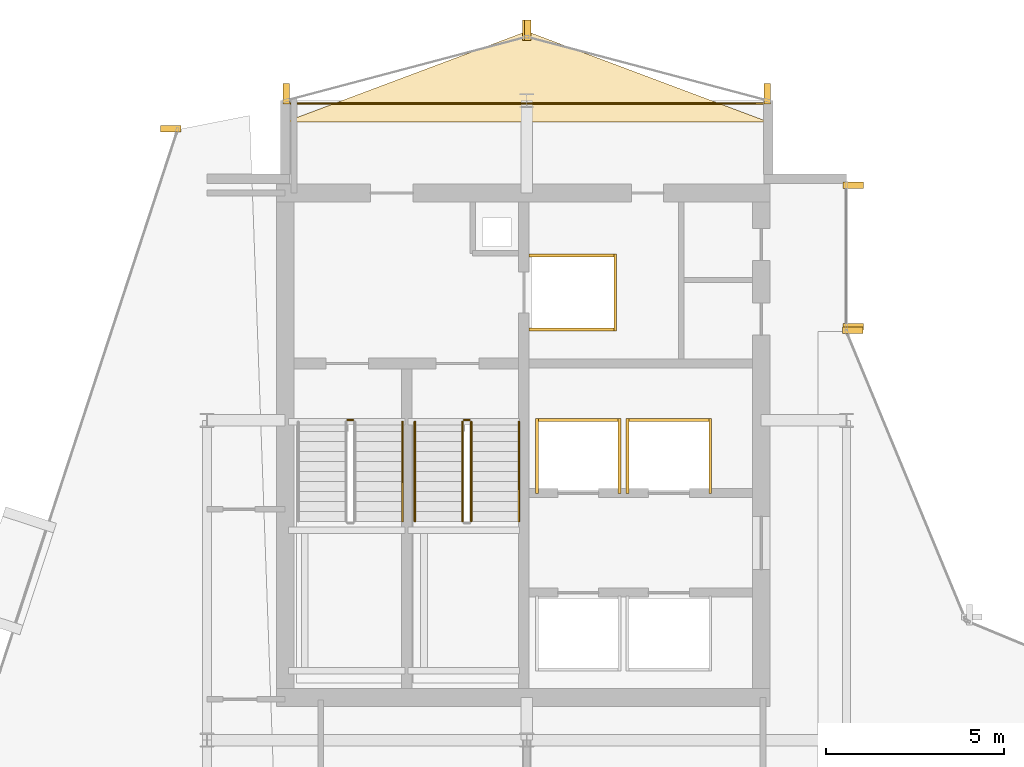
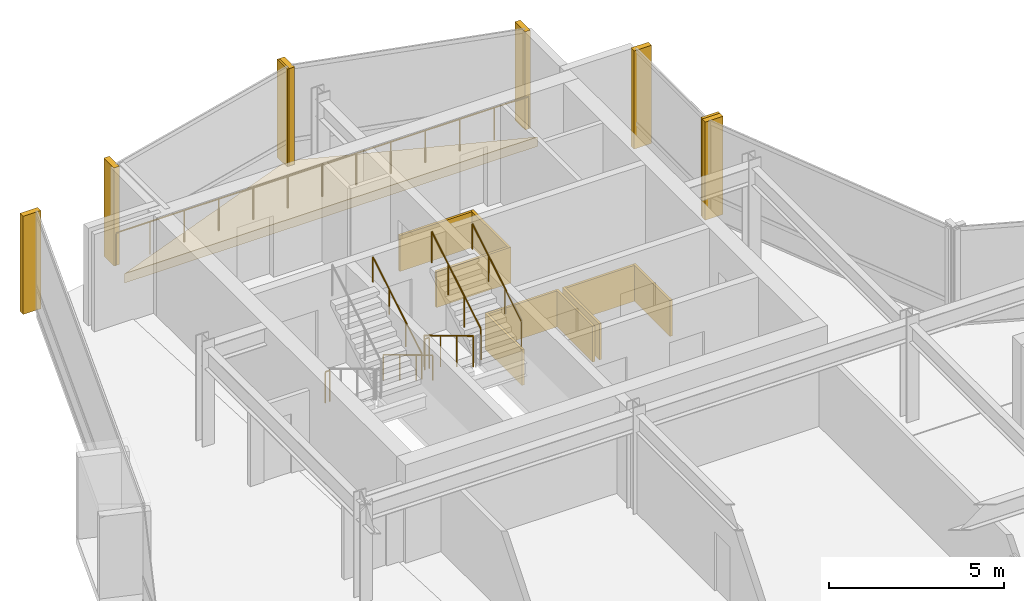
# One storey, part 28 of 28: 18 coverings, 8 railings.
"""IFC4 building model written with IfcOpenShell, lengths in metres."""

import ifcopenshell
import ifcopenshell.guid

model = None  # the IFC model being written
_history = None  # IfcOwnerHistory: only IFC2X3 demands one
_inside = {}  # id of a spatial element -> (the spatial element, [elements in it])
_under = {}  # id of a project, library or spatial element -> (it, [spatial elements below it])
_declared = {}  # id of a project -> (the project, [libraries it declares])
_typed = {}  # id of a type object -> (the type object, [elements of that type])
_made_of = {}  # id of a material, layer set ... -> (it, [elements and type objects made of it])


def new_model(schema):
    """Start an empty IFC model of exactly this schema.

    Asked for "IFC4X3", IfcOpenShell would pick the latest addendum, in which some entities
    have other attributes; the version numbers below select the first issue.
    IFC2X3 requires an IfcOwnerHistory on every rooted entity: one is made here for all.
    """
    global model, _history
    if schema == "IFC4X3":
        model = ifcopenshell.file(schema_version=(4, 3, 0, 0))
    else:
        model = ifcopenshell.file(schema=schema)
    _inside.clear()
    _under.clear()
    _declared.clear()
    _typed.clear()
    _made_of.clear()
    _history = None
    if model.schema == "IFC2X3":
        org = make("IfcOrganization", Name="unknown")
        user = make(
            "IfcPersonAndOrganization",
            ThePerson=make("IfcPerson", FamilyName="unknown"),
            TheOrganization=org,
        )
        app = make(
            "IfcApplication",
            ApplicationDeveloper=org,
            Version="unknown",
            ApplicationFullName="unknown",
            ApplicationIdentifier="unknown",
        )
        _history = make(
            "IfcOwnerHistory",
            OwningUser=user,
            OwningApplication=app,
            ChangeAction="ADDED",
            CreationDate=0,
        )
    return model


def make(cls, **values):
    """One entity of the class cls with the attributes given. An attribute that is None is left unset."""
    return model.create_entity(
        cls, **{name: value for name, value in values.items() if value is not None}
    )


def rooted(cls, **values):
    """An entity with a GlobalId (a new one), such as an element, a storey or a relation."""
    return make(cls, GlobalId=ifcopenshell.guid.new(), OwnerHistory=_history, **values)


def si_unit(unit_type, name, prefix=None):
    """IfcSIUnit, for example si_unit("LENGTHUNIT", "METRE", prefix="MILLI")."""
    return make("IfcSIUnit", UnitType=unit_type, Prefix=prefix, Name=name)


def assignment(units):
    """IfcUnitAssignment: the units of a project."""
    return None if units is None else make("IfcUnitAssignment", Units=units)


def point(xyz):
    """IfcCartesianPoint."""
    return None if xyz is None else make("IfcCartesianPoint", Coordinates=xyz)


def direction(xyz):
    """IfcDirection."""
    return None if xyz is None else make("IfcDirection", DirectionRatios=xyz)


def frame(location, z_axis=None, x_axis=None):
    """IfcAxis2Placement3D, a coordinate frame: its origin and axes. An axis left out is left unset."""
    return make(
        "IfcAxis2Placement3D",
        Location=point(location),
        Axis=direction(z_axis),
        RefDirection=direction(x_axis),
    )


def frame_2d(location, x_axis=None):
    """IfcAxis2Placement2D, a coordinate frame in the plane: its origin and x axis."""
    return make(
        "IfcAxis2Placement2D", Location=point(location), RefDirection=direction(x_axis)
    )


def origin():
    """The frame at (0, 0, 0) with its axes left unset."""
    return frame((0.0, 0.0, 0.0))


def origin_2d():
    """The frame at (0, 0) in the plane with its x axis left unset."""
    return frame_2d((0.0, 0.0))


def place(relative_to, where):
    """IfcLocalPlacement: puts the frame where relative to a parent placement (None: the world)."""
    return make(
        "IfcLocalPlacement", PlacementRelTo=relative_to, RelativePlacement=where
    )


def context(
    kind, dimensions, precision=None, world=None, true_north=None, identifier=None
):
    """IfcGeometricRepresentationContext, for example the 3D "Model" context."""
    return make(
        "IfcGeometricRepresentationContext",
        ContextIdentifier=identifier,
        ContextType=kind,
        CoordinateSpaceDimension=dimensions,
        Precision=precision,
        WorldCoordinateSystem=world,
        TrueNorth=true_north,
    )


def subcontext(parent, identifier, kind, view, scale=None):
    """IfcGeometricRepresentationSubContext, for example "Body" below "Model"."""
    return make(
        "IfcGeometricRepresentationSubContext",
        ContextIdentifier=identifier,
        ContextType=kind,
        ParentContext=parent,
        TargetScale=scale,
        TargetView=view,
    )


def project(units=None, contexts=None):
    """IfcProject with its units and contexts."""
    return rooted(
        "IfcProject",
        Name="project",
        RepresentationContexts=contexts,
        UnitsInContext=assignment(units),
    )


def spatial(cls, under=None, at=None, **own):
    """A site, building, storey or space (cls), placed at a placement, below another one or the project."""
    s = rooted(cls, ObjectPlacement=at, **own)
    if under is not None:
        _under.setdefault(under.id(), (under, []))[1].append(s)
    return s


def polyline(points):
    """IfcPolyline through the points."""
    return make("IfcPolyline", Points=[point(p) for p in points])


def profile(cls, at=None, kind="AREA", **sizes):
    """A parametric profile (cls). Its sizes go by their IFC names, for example OverallWidth=200.0."""
    return make(cls, ProfileType=kind, Position=at, **sizes)


def rectangle(**sizes):
    """IfcRectangleProfileDef."""
    return profile("IfcRectangleProfileDef", **sizes)


def circle(**sizes):
    """IfcCircleProfileDef."""
    return profile("IfcCircleProfileDef", **sizes)


def outline(outer, holes=None, kind="AREA"):
    """IfcArbitraryClosedProfileDef: a profile drawn as a closed curve; with holes, ...WithVoids."""
    if holes is None:
        return make("IfcArbitraryClosedProfileDef", ProfileType=kind, OuterCurve=outer)
    return make(
        "IfcArbitraryProfileDefWithVoids",
        ProfileType=kind,
        OuterCurve=outer,
        InnerCurves=holes,
    )


def extrude(swept, where, along, depth):
    """IfcExtrudedAreaSolid: the profile swept, set in the frame where, extruded along a direction by depth."""
    return make(
        "IfcExtrudedAreaSolid",
        SweptArea=swept,
        Position=where,
        ExtrudedDirection=direction(along),
        Depth=depth,
    )


def shape(context_of_items, identifier, shape_type, items):
    """IfcShapeRepresentation: the items that make up one representation, for example the "Body"."""
    return make(
        "IfcShapeRepresentation",
        ContextOfItems=context_of_items,
        RepresentationIdentifier=identifier,
        RepresentationType=shape_type,
        Items=items,
    )


def material(Name=None, Category=None):
    """IfcMaterial."""
    return make("IfcMaterial", Name=Name, Category=Category)


def layer(
    of_material, thickness, ventilated=None, Name=None, Category=None, Priority=None
):
    """IfcMaterialLayer: one layer of a wall or slab, of a material (None: an air gap)."""
    return make(
        "IfcMaterialLayer",
        Material=of_material,
        LayerThickness=thickness,
        IsVentilated=ventilated,
        Name=Name,
        Category=Category,
        Priority=Priority,
    )


def layer_set(layers, Name=None):
    """IfcMaterialLayerSet."""
    return make("IfcMaterialLayerSet", MaterialLayers=layers, LayerSetName=Name)


def made_of(thing, what):
    """Note that an element or type object is made of a material, layer set ...; save() writes the relation."""
    if what is not None:
        _made_of.setdefault(what.id(), (what, []))[1].append(thing)
    return thing


def type_object(cls, material=None, **own):
    """A type object (cls), such as IfcWallType, which elements share."""
    return made_of(rooted(cls, **own), material)


def element(
    cls,
    number,
    at=None,
    inside=None,
    cuts=None,
    type_object=None,
    material=None,
    context=None,
    identifier="Body",
    shape_type=None,
    held_by="IfcProductDefinitionShape",
    body=None,
    shapes=None,
    **own,
):
    """One element of the class cls, such as IfcWall. Its Tag is "e" and its number.

    at: its placement. inside: the storey or other place that contains it. cuts: it is an
    opening in that element (IfcRelVoidsElement). A single representation is given by context,
    identifier, shape_type and body (its items); several are given by shapes. held_by: the class
    of the entity that holds the representations. save() writes the other relations.
    """
    e = rooted(cls, Tag="e%d" % number, ObjectPlacement=at, **own)
    if body is not None:
        shapes = [shape(context, identifier, shape_type, body)]
    if shapes is not None:
        e.Representation = make(held_by, Representations=shapes)
    if inside is not None:
        _inside.setdefault(inside.id(), (inside, []))[1].append(e)
    if cuts is not None:
        rooted(
            "IfcRelVoidsElement", RelatingBuildingElement=cuts, RelatedOpeningElement=e
        )
    if type_object is not None:
        _typed.setdefault(type_object.id(), (type_object, []))[1].append(e)
    return made_of(e, material)


def aggregate(whole, parts):
    """IfcRelAggregates: a whole, such as a stair, and the parts it consists of."""
    return rooted("IfcRelAggregates", RelatingObject=whole, RelatedObjects=parts)


def save(model, path):
    """Write the relations noted so far, then the file.

    IfcRelAggregates (storeys below a building ...), IfcRelContainedInSpatialStructure (elements
    in a storey), IfcRelDefinesByType, IfcRelAssociatesMaterial and IfcRelDeclares: one each for
    every whole, place, type object, material and project.
    """
    for whole, parts in _under.values():
        aggregate(whole, parts)
    for where, things in _inside.values():
        rooted(
            "IfcRelContainedInSpatialStructure",
            RelatedElements=things,
            RelatingStructure=where,
        )
    for kind, things in _typed.values():
        rooted("IfcRelDefinesByType", RelatedObjects=things, RelatingType=kind)
    for what, things in _made_of.values():
        rooted("IfcRelAssociatesMaterial", RelatedObjects=things, RelatingMaterial=what)
    for by, libraries in _declared.values():
        rooted("IfcRelDeclares", RelatingContext=by, RelatedDefinitions=libraries)
    model.write(path)


model = new_model("IFC4")

# Units and contexts
model_context = context("Model", 3, precision=1e-05, world=origin(), true_north=direction((0.0, 1.0)))
body_context = subcontext(model_context, "Body", "Model", "MODEL_VIEW")
ifc_project = project(units=[si_unit("LENGTHUNIT", "METRE"), si_unit("AREAUNIT", "SQUARE_METRE"), si_unit("VOLUMEUNIT", "CUBIC_METRE"), si_unit("PLANEANGLEUNIT", "RADIAN"), si_unit("MASSUNIT", "GRAM", prefix="KILO")], contexts=[model_context])

# Site, building, storey
site_placement = place(None, origin())
site = spatial("IfcSite", under=ifc_project, at=site_placement, CompositionType="ELEMENT")
building_placement = place(site_placement, origin())
building = spatial("IfcBuilding", under=site, at=building_placement, Name="Solvaryn Broadcast Tower", CompositionType="ELEMENT")
storey_placement = place(building_placement, frame((0.0, 0.0, 206.199951171875)))
storey = spatial("IfcBuildingStorey", under=building, at=storey_placement, Name="L51", CompositionType="ELEMENT", Elevation=206.199951171875)

# Coverings
ifc_material_1 = material(Name="Fire-Rated Gypsum Shaftwall Liner", Category="concrete")
ifc_layer_1 = layer(ifc_material_1, 0.080078125)
ifc_layer_set_1 = layer_set([ifc_layer_1], Name="CV-SHAFT-LINER")
covering_type_1 = type_object("IfcCoveringType", Name="CV-SHAFT-LINER", PredefinedType="CLADDING", material=ifc_layer_set_1)
for number, where, z_axis, x_axis, name in (
    (1, (19.300048828125, 40.639892578125, 0.0), (0.0, 0.0, 1.0), (1.0, 0.0, 0.0), "L51 FL1 Hoistway Shaft Liner North"),
    (2, (19.300048828125, 38.56005859375, 0.0), (0.0, 0.0, 1.0), (1.0, 0.0, 0.0), "L51 FL1 Hoistway Shaft Liner South"),
):
    element("IfcCovering", number, at=place(storey_placement, frame(where, z_axis=z_axis, x_axis=x_axis)), inside=storey, type_object=covering_type_1, Name=name, PredefinedType="CLADDING", context=body_context, shape_type="SweptSolid", body=[
        extrude(rectangle(XDim=2.4599609375, YDim=0.080078125, at=origin_2d()), origin(), (0.0, 0.0, 1.0), 1.25),
    ])
covering_1_placement = place(storey_placement, frame((20.489990234375, 39.60009765625, 0.0), z_axis=(0.0, 0.0, 1.0), x_axis=(1.0, 0.0, 0.0)))
element("IfcCovering", 3, at=covering_1_placement, inside=storey, type_object=covering_type_1, Name="L51 FL1 Hoistway Shaft Liner East", PredefinedType="CLADDING", context=body_context, shape_type="SweptSolid", body=[
    extrude(rectangle(XDim=0.080078125, YDim=2.159912109375, at=origin_2d()), origin(), (0.0, 0.0, 1.0), 1.25),
])
covering_2_placement = place(storey_placement, frame((19.449951171875, 36.014892578125, 0.0), z_axis=(0.0, 0.0, 1.0), x_axis=(1.0, 0.0, 0.0)))
element("IfcCovering", 4, at=covering_2_placement, inside=storey, type_object=covering_type_1, Name="L51 PH3 Hoistway Shaft Liner North", PredefinedType="CLADDING", context=body_context, shape_type="SweptSolid", body=[
    extrude(rectangle(XDim=2.409912109375, YDim=0.080078125, at=origin_2d()), origin(), (0.0, 0.0, 1.0), 1.25),
])
for number, where, z_axis, x_axis, name in (
    (5, (20.614990234375, 35.0, 0.0), (0.0, 0.0, 1.0), (1.0, 0.0, 0.0), "L51 PH3 Hoistway Shaft Liner East"),
    (6, (18.284912109375, 35.0, 0.0), (0.0, 0.0, 1.0), (1.0, 0.0, 0.0), "L51 PH3 Hoistway Shaft Liner West"),
):
    element("IfcCovering", number, at=place(storey_placement, frame(where, z_axis=z_axis, x_axis=x_axis)), inside=storey, type_object=covering_type_1, Name=name, PredefinedType="CLADDING", context=body_context, shape_type="SweptSolid", body=[
        extrude(rectangle(XDim=0.080078125, YDim=2.110107421875, at=origin_2d()), origin(), (0.0, 0.0, 1.0), 1.25),
    ])
covering_3_placement = place(storey_placement, frame((22.0, 36.014892578125, 0.0), z_axis=(0.0, 0.0, 1.0), x_axis=(1.0, 0.0, 0.0)))
element("IfcCovering", 7, at=covering_3_placement, inside=storey, type_object=covering_type_1, Name="L51 PH4 Hoistway Shaft Liner North", PredefinedType="CLADDING", context=body_context, shape_type="SweptSolid", body=[
    extrude(rectangle(XDim=2.409912109375, YDim=0.080078125, at=origin_2d()), origin(), (0.0, 0.0, 1.0), 1.25),
])
for number, where, z_axis, x_axis, name in (
    (8, (23.1650390625, 35.0, 0.0), (0.0, 0.0, 1.0), (1.0, 0.0, 0.0), "L51 PH4 Hoistway Shaft Liner East"),
    (9, (20.8349609375, 35.0, 0.0), (0.0, 0.0, 1.0), (1.0, 0.0, 0.0), "L51 PH4 Hoistway Shaft Liner West"),
):
    element("IfcCovering", number, at=place(storey_placement, frame(where, z_axis=z_axis, x_axis=x_axis)), inside=storey, type_object=covering_type_1, Name=name, PredefinedType="CLADDING", context=body_context, shape_type="SweptSolid", body=[
        extrude(rectangle(XDim=0.080078125, YDim=2.110107421875, at=origin_2d()), origin(), (0.0, 0.0, 1.0), 1.25),
    ])
ifc_material_2 = material(Name="Extruded Architectural Terracotta Fin", Category="masonry")
ifc_layer_2 = layer(ifc_material_2, 0.179931640625)
ifc_layer_set_2 = layer_set([ifc_layer_2], Name="CV-TC-FIN")
covering_type_2 = type_object("IfcCoveringType", Name="CV-TC-FIN", PredefinedType="USERDEFINED", material=ifc_layer_set_2)
for number, where, z_axis, x_axis, name in (
    (10, (7.982666015625, 44.209716796875, 0.0), (0.0, 0.0, 1.0), (1.0, 0.0, 0.0), "L51 Terracotta Vertical Fin FIN-L51-DR1-M00"),
    (11, (27.1875, 42.6201171875, 0.0), (0.0, 0.0, 1.0), (1.0, 0.0, 0.0), "L51 Terracotta Vertical Fin FIN-L51-IV-M00"),
    (12, (27.1875, 38.6298828125, 0.0), (0.0, 0.0, 1.0), (1.0, 0.0, 0.0), "L51 Terracotta Vertical Fin FIN-L51-IV-M01"),
    (13, (27.177978515625, 38.541259765625, 0.0), (0.0, 0.0, 1.0), (1.0, 0.0, 0.0), "L51 Terracotta Vertical Fin FIN-L51-CN2-M01"),
):
    element("IfcCovering", number, at=place(storey_placement, frame(where, z_axis=z_axis, x_axis=x_axis)), inside=storey, type_object=covering_type_2, Name=name, ObjectType="FIN", PredefinedType="USERDEFINED", context=body_context, shape_type="SweptSolid", body=[
        extrude(rectangle(XDim=0.580078125, YDim=0.179931640625, at=origin_2d()), origin(), (0.0, 0.0, 1.0), 3.419921875),
    ])
for number, where, z_axis, x_axis, name in (
    (14, (24.77099609375, 45.1953125, 0.0), (0.0, 0.0, 1.0), (1.0, 0.0, 0.0), "L51 Terracotta Vertical Fin FIN-L51-NT1-M00"),
    (15, (18.029052734375, 46.979736328125, 0.0), (0.0, 0.0, 1.0), (1.0, 0.0, 0.0), "L51 Terracotta Vertical Fin FIN-L51-NT1-M01"),
    (16, (17.970947265625, 46.979736328125, 0.0), (0.0, 0.0, 1.0), (1.0, 0.0, 0.0), "L51 Terracotta Vertical Fin FIN-L51-NT2-M00"),
    (17, (11.22900390625, 45.1953125, 0.0), (0.0, 0.0, 1.0), (1.0, 0.0, 0.0), "L51 Terracotta Vertical Fin FIN-L51-NT2-M01"),
):
    element("IfcCovering", number, at=place(storey_placement, frame(where, z_axis=z_axis, x_axis=x_axis)), inside=storey, type_object=covering_type_2, Name=name, ObjectType="FIN", PredefinedType="USERDEFINED", context=body_context, shape_type="SweptSolid", body=[
        extrude(rectangle(XDim=0.179931640625, YDim=0.580078125, at=origin_2d()), origin(), (0.0, 0.0, 1.0), 3.419921875),
    ])
ifc_material_3 = material(Name="Sculpted Architectural Terracotta Wave Fascia", Category="masonry")
ifc_layer_3 = layer(ifc_material_3, 0.340087890625)
ifc_layer_set_3 = layer_set([ifc_layer_3], Name="CV-WAVE-TRAY")
covering_type_3 = type_object("IfcCoveringType", Name="CV-WAVE-TRAY", PredefinedType="CLADDING", material=ifc_layer_set_3)
covering_4_placement = place(storey_placement, frame((0.0, 0.0, -0.300048828125)))
element("IfcCovering", 18, at=covering_4_placement, inside=storey, type_object=covering_type_3, Name="L51 North Curved Wing Deck", PredefinedType="CLADDING", context=body_context, shape_type="SweptSolid", body=[
    extrude(outline(polyline([(11.199951171875, 44.39990234375), (24.800048828125, 44.39990234375), (18.0, 46.949951171875), (11.199951171875, 44.39990234375)])), origin(), (0.0, 0.0, 1.0), 0.330078125),
])

# Railings
ifc_material_4 = material(Name="Painted Steel Stair Well Guard", Category="steel")
railing_type_1 = type_object("IfcRailingType", Name="RL-STAIR-GUARD", PredefinedType="BALUSTRADE", material=ifc_material_4)
railing_1_placement = place(storey_placement, frame((12.9599609375, 36.010009765625, 0.0)))
element("IfcRailing", 19, at=railing_1_placement, inside=storey, type_object=railing_type_1, Name="L51 ST1 stair guard 4", PredefinedType="BALUSTRADE", context=body_context, shape_type="SweptSolid", body=[
    extrude(circle(Radius=0.02392578125, at=origin_2d()), frame((0.0, 0.0, 1.076171875), z_axis=(1.0, 0.0, 0.0), x_axis=(0.0, 1.0, 0.0)), (0.0, 0.0, 1.0), 0.150146484375),
    extrude(circle(Radius=0.02099609375, at=origin_2d()), origin(), (0.0, 0.0, 1.0), 1.052001953125),
    extrude(circle(Radius=0.02099609375, at=origin_2d()), frame((0.150146484375, 0.0, 0.0)), (0.0, 0.0, 1.0), 1.052001953125),
])
railing_2_placement = place(storey_placement, frame((16.18994140625, 35.9599609375, 0.168212890625)))
element("IfcRailing", 20, at=railing_2_placement, inside=storey, type_object=railing_type_1, Name="L51 ST2 stair guard 1", PredefinedType="BALUSTRADE", context=body_context, shape_type="SweptSolid", body=[
    extrude(circle(Radius=0.02392578125, at=origin_2d()), frame((0.0, 0.0, 1.076171875), z_axis=(0.0, -0.857242210791, 0.514913383045), x_axis=(1.0, 0.0, 0.0)), (0.0, 0.0, 1.0), 3.266357421875),
    extrude(circle(Radius=0.02099609375, at=origin_2d()), origin(), (0.0, 0.0, 1.0), 1.052001953125),
    extrude(circle(Radius=0.02099609375, at=origin_2d()), frame((0.0, -0.933349609375, 0.560546875)), (0.0, 0.0, 1.0), 1.052001953125),
    extrude(circle(Radius=0.02099609375, at=origin_2d()), frame((0.0, -1.86669921875, 1.121337890625)), (0.0, 0.0, 1.0), 1.052001953125),
    extrude(circle(Radius=0.02099609375, at=origin_2d()), frame((0.0, -2.800048828125, 1.681884765625)), (0.0, 0.0, 1.0), 1.052001953125),
])
railing_3_placement = place(storey_placement, frame((16.43994140625, 33.159912109375, 2.018310546875)))
element("IfcRailing", 21, at=railing_3_placement, inside=storey, type_object=railing_type_1, Name="L51 ST2 stair guard 3", PredefinedType="BALUSTRADE", context=body_context, shape_type="SweptSolid", body=[
    extrude(circle(Radius=0.02392578125, at=origin_2d()), frame((0.0, 0.0, 1.076171875), z_axis=(0.0, 0.857275202839, 0.514858452973), x_axis=(-1.0, 0.0, 0.0)), (0.0, 0.0, 1.0), 3.26611328125),
    extrude(circle(Radius=0.02099609375, at=origin_2d()), origin(), (0.0, 0.0, 1.0), 1.052001953125),
    extrude(circle(Radius=0.02099609375, at=origin_2d()), frame((0.0, 0.933349609375, 0.560546875)), (0.0, 0.0, 1.0), 1.052001953125),
    extrude(circle(Radius=0.02099609375, at=origin_2d()), frame((0.0, 1.86669921875, 1.12109375)), (0.0, 0.0, 1.0), 1.052001953125),
    extrude(circle(Radius=0.02099609375, at=origin_2d()), frame((0.0, 2.800048828125, 1.681640625)), (0.0, 0.0, 1.0), 1.052001953125),
])
railing_4_placement = place(storey_placement, frame((16.239990234375, 36.010009765625, 0.0)))
element("IfcRailing", 22, at=railing_4_placement, inside=storey, type_object=railing_type_1, Name="L51 ST2 stair guard 4", PredefinedType="BALUSTRADE", context=body_context, shape_type="SweptSolid", body=[
    extrude(circle(Radius=0.02392578125, at=origin_2d()), frame((0.0, 0.0, 1.076171875), z_axis=(1.0, 0.0, 0.0), x_axis=(0.0, 1.0, 0.0)), (0.0, 0.0, 1.0), 0.14990234375),
    extrude(circle(Radius=0.02099609375, at=origin_2d()), origin(), (0.0, 0.0, 1.0), 1.052001953125),
    extrude(circle(Radius=0.02099609375, at=origin_2d()), frame((0.14990234375, 0.0, 0.0)), (0.0, 0.0, 1.0), 1.052001953125),
])
ifc_material_5 = material(Name="Brushed Stainless Steel Tubular Handrail", Category="steel")
railing_type_2 = type_object("IfcRailingType", Name="RL-STAIR-HANDRAIL", PredefinedType="HANDRAIL", material=ifc_material_5)
railing_5_placement = place(storey_placement, frame((14.5, 33.159912109375, 2.018310546875)))
element("IfcRailing", 23, at=railing_5_placement, inside=storey, type_object=railing_type_2, Name="L51 ST1 stair handrail 2", PredefinedType="HANDRAIL", context=body_context, shape_type="SweptSolid", body=[
    extrude(circle(Radius=0.02392578125, at=origin_2d()), frame((0.0, 0.0, 0.8759765625), z_axis=(0.0, 0.857275202839, 0.514858452973), x_axis=(-1.0, 0.0, 0.0)), (0.0, 0.0, 1.0), 3.26611328125),
    extrude(circle(Radius=0.02099609375, at=origin_2d()), origin(), (0.0, 0.0, 1.0), 0.851806640625),
    extrude(circle(Radius=0.02099609375, at=origin_2d()), frame((0.0, 0.933349609375, 0.560546875)), (0.0, 0.0, 1.0), 0.851806640625),
    extrude(circle(Radius=0.02099609375, at=origin_2d()), frame((0.0, 1.86669921875, 1.12109375)), (0.0, 0.0, 1.0), 0.851806640625),
    extrude(circle(Radius=0.02099609375, at=origin_2d()), frame((0.0, 2.800048828125, 1.681640625)), (0.0, 0.0, 1.0), 0.851806640625),
])
railing_6_placement = place(storey_placement, frame((14.85009765625, 35.9599609375, 0.168212890625)))
element("IfcRailing", 24, at=railing_6_placement, inside=storey, type_object=railing_type_2, Name="L51 ST2 stair handrail 1", PredefinedType="HANDRAIL", context=body_context, shape_type="SweptSolid", body=[
    extrude(circle(Radius=0.02392578125, at=origin_2d()), frame((0.0, 0.0, 0.8759765625), z_axis=(0.0, -0.857242210791, 0.514913383045), x_axis=(1.0, 0.0, 0.0)), (0.0, 0.0, 1.0), 3.266357421875),
    extrude(circle(Radius=0.02099609375, at=origin_2d()), origin(), (0.0, 0.0, 1.0), 0.851806640625),
    extrude(circle(Radius=0.02099609375, at=origin_2d()), frame((0.0, -0.933349609375, 0.560546875)), (0.0, 0.0, 1.0), 0.851806640625),
    extrude(circle(Radius=0.02099609375, at=origin_2d()), frame((0.0, -1.86669921875, 1.121337890625)), (0.0, 0.0, 1.0), 0.851806640625),
    extrude(circle(Radius=0.02099609375, at=origin_2d()), frame((0.0, -2.800048828125, 1.681884765625)), (0.0, 0.0, 1.0), 0.851806640625),
])
railing_7_placement = place(storey_placement, frame((17.780029296875, 33.159912109375, 2.018310546875)))
element("IfcRailing", 25, at=railing_7_placement, inside=storey, type_object=railing_type_2, Name="L51 ST2 stair handrail 2", PredefinedType="HANDRAIL", context=body_context, shape_type="SweptSolid", body=[
    extrude(circle(Radius=0.02392578125, at=origin_2d()), frame((0.0, 0.0, 0.8759765625), z_axis=(0.0, 0.857275202839, 0.514858452973), x_axis=(-1.0, 0.0, 0.0)), (0.0, 0.0, 1.0), 3.26611328125),
    extrude(circle(Radius=0.02099609375, at=origin_2d()), origin(), (0.0, 0.0, 1.0), 0.851806640625),
    extrude(circle(Radius=0.02099609375, at=origin_2d()), frame((0.0, 0.933349609375, 0.560546875)), (0.0, 0.0, 1.0), 0.851806640625),
    extrude(circle(Radius=0.02099609375, at=origin_2d()), frame((0.0, 1.86669921875, 1.12109375)), (0.0, 0.0, 1.0), 0.851806640625),
    extrude(circle(Radius=0.02099609375, at=origin_2d()), frame((0.0, 2.800048828125, 1.681640625)), (0.0, 0.0, 1.0), 0.851806640625),
])
ifc_material_6 = material(Name="Stainless Steel and Laminated Glass Guard", Category="steel")
railing_type_3 = type_object("IfcRailingType", Name="RL-TER-1150", PredefinedType="BALUSTRADE", material=ifc_material_6)
railing_8_placement = place(storey_placement, frame((11.199951171875, 44.919921875, 0.0)))
element("IfcRailing", 26, at=railing_8_placement, inside=storey, type_object=railing_type_3, Name="L51 North Wing Spandrel Edge Guard", PredefinedType="BALUSTRADE", context=body_context, shape_type="SweptSolid", body=[
    extrude(circle(Radius=0.02392578125, at=origin_2d()), frame((0.0, 0.0, 1.1259765625), z_axis=(1.0, 0.0, 0.0), x_axis=(0.0, 1.0, 0.0)), (0.0, 0.0, 1.0), 13.60009765625),
    extrude(circle(Radius=0.02099609375, at=origin_2d()), origin(), (0.0, 0.0, 1.0), 1.101806640625),
    extrude(circle(Radius=0.02099609375, at=origin_2d()), frame((1.13330078125, 0.0, 0.0)), (0.0, 0.0, 1.0), 1.101806640625),
    extrude(circle(Radius=0.02099609375, at=origin_2d()), frame((2.2666015625, 0.0, 0.0)), (0.0, 0.0, 1.0), 1.101806640625),
    extrude(circle(Radius=0.02099609375, at=origin_2d()), frame((3.39990234375, 0.0, 0.0)), (0.0, 0.0, 1.0), 1.101806640625),
    extrude(circle(Radius=0.02099609375, at=origin_2d()), frame((4.533447265625, 0.0, 0.0)), (0.0, 0.0, 1.0), 1.101806640625),
    extrude(circle(Radius=0.02099609375, at=origin_2d()), frame((5.666748046875, 0.0, 0.0)), (0.0, 0.0, 1.0), 1.101806640625),
    extrude(circle(Radius=0.02099609375, at=origin_2d()), frame((6.800048828125, 0.0, 0.0)), (0.0, 0.0, 1.0), 1.101806640625),
    extrude(circle(Radius=0.02099609375, at=origin_2d()), frame((7.933349609375, 0.0, 0.0)), (0.0, 0.0, 1.0), 1.101806640625),
    extrude(circle(Radius=0.02099609375, at=origin_2d()), frame((9.066650390625, 0.0, 0.0)), (0.0, 0.0, 1.0), 1.101806640625),
    extrude(circle(Radius=0.02099609375, at=origin_2d()), frame((10.2001953125, 0.0, 0.0)), (0.0, 0.0, 1.0), 1.101806640625),
    extrude(circle(Radius=0.02099609375, at=origin_2d()), frame((11.33349609375, 0.0, 0.0)), (0.0, 0.0, 1.0), 1.101806640625),
    extrude(circle(Radius=0.02099609375, at=origin_2d()), frame((12.466796875, 0.0, 0.0)), (0.0, 0.0, 1.0), 1.101806640625),
    extrude(circle(Radius=0.02099609375, at=origin_2d()), frame((13.60009765625, 0.0, 0.0)), (0.0, 0.0, 1.0), 1.101806640625),
])

save(model, "model.ifc")
